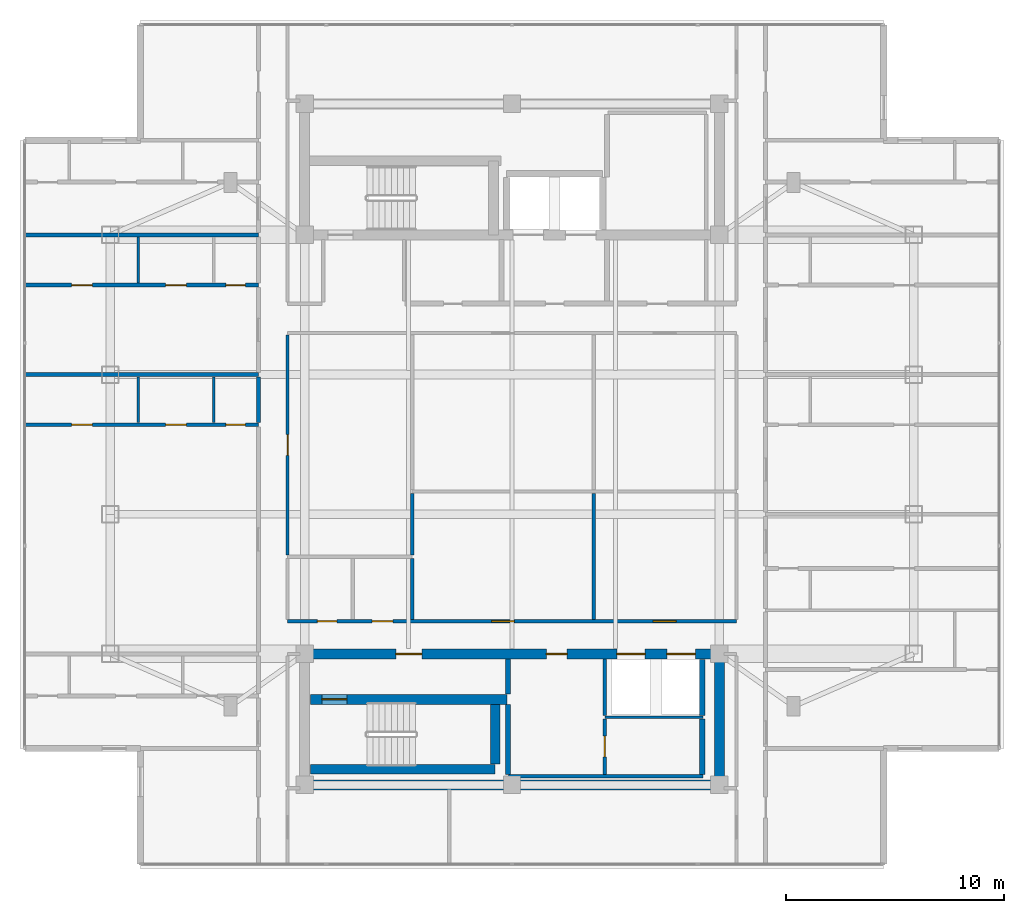
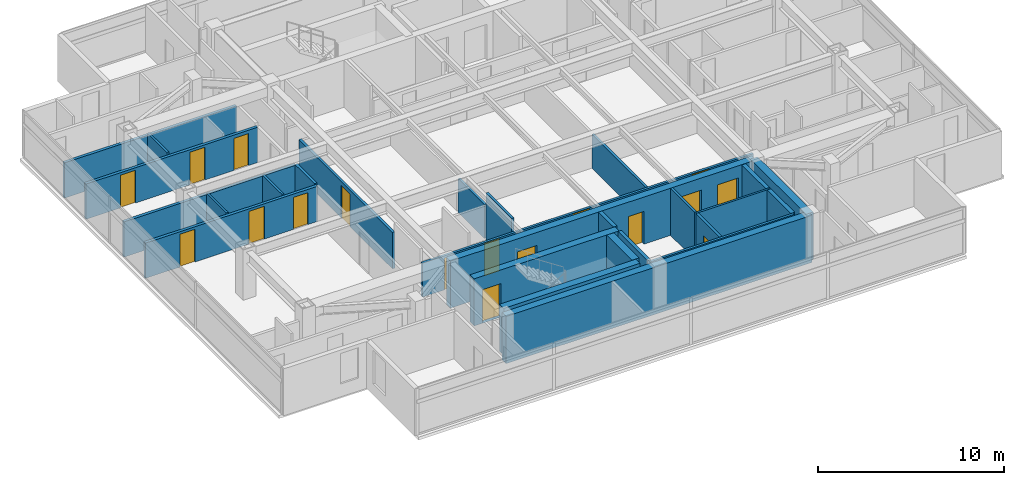
# One storey, part 8 of 14: 27 walls, 17 doors, 17 openings.
"""IFC4 building model written with IfcOpenShell, lengths in metres."""

from ifc_helpers import new_model, si_unit, direction, frame, frame_2d, origin, place, context, subcontext, project, spatial, rectangle, extrude, material, layer, layer_set, type_object, element, fill, save


model = new_model("IFC4")

# Units and contexts
model_context = context("Model", 3, precision=1e-05, world=origin(), true_north=direction((0.0, 1.0)))
body_context = subcontext(model_context, "Body", "Model", "MODEL_VIEW")
ifc_project = project(units=[si_unit("LENGTHUNIT", "METRE"), si_unit("AREAUNIT", "SQUARE_METRE"), si_unit("VOLUMEUNIT", "CUBIC_METRE"), si_unit("PLANEANGLEUNIT", "RADIAN"), si_unit("MASSUNIT", "GRAM", prefix="KILO")], contexts=[model_context])

# Site, building, storey
site_placement = place(None, origin())
site = spatial("IfcSite", under=ifc_project, at=site_placement, CompositionType="ELEMENT")
building_placement = place(site_placement, origin())
building = spatial("IfcBuilding", under=site, at=building_placement, Name="Mirazonda Arch Towers", CompositionType="ELEMENT")
storey_placement = place(building_placement, frame((0.0, 0.0, 245.800048828125)))
storey = spatial("IfcBuildingStorey", under=building, at=storey_placement, Name="L70", CompositionType="ELEMENT", Elevation=245.800048828125)

# Walls
ifc_material_1 = material(Name="Concrete C50/60", Category="concrete")
ifc_layer_1 = layer(ifc_material_1, 0.449951171875, Name="WALL-CORE-450")
ifc_layer_set_1 = layer_set([ifc_layer_1], Name="Concrete C50/60")
wall_type_1 = type_object("IfcWallType", Name="WALL-CORE-450", PredefinedType="SHEAR", material=ifc_layer_set_1)
wall_1_placement = place(storey_placement, frame((11.0, 12.39990234375, 0.0), z_axis=(0.0, 0.0, 1.0), x_axis=(1.0, 0.0, 0.0)))
element("IfcWall", 1, at=wall_1_placement, inside=storey, type_object=wall_type_1, Name="L70 T1S-S Core Shear Wall", PredefinedType="SHEAR", context=body_context, shape_type="SweptSolid", body=[
    extrude(rectangle(XDim=19.0, YDim=0.449951171875, at=frame_2d((9.5, 0.0))), origin(), (0.0, 0.0, 1.0), 3.099853515625),
])
wall_2_placement = place(storey_placement, frame((30.0, 12.39990234375, 0.0), z_axis=(0.0, 0.0, 1.0), x_axis=(0.0, 1.0, 0.0)))
element("IfcWall", 2, at=wall_2_placement, inside=storey, type_object=wall_type_1, Name="L70 T1S-E Core Shear Wall", PredefinedType="SHEAR", context=body_context, shape_type="SweptSolid", body=[
    extrude(rectangle(XDim=6.0, YDim=0.449951171875, at=frame_2d((3.0, 0.0))), origin(), (0.0, 0.0, 1.0), 3.099853515625),
])

# Wall, openings, doors
wall_3_placement = place(storey_placement, frame((11.0, 18.39990234375, 0.0), z_axis=(0.0, 0.0, 1.0), x_axis=(1.0, 0.0, 0.0)))
wall_3 = element("IfcWall", 3, at=wall_3_placement, inside=storey, type_object=wall_type_1, Name="L70 T1S-N Core Shear Wall", PredefinedType="SHEAR", context=body_context, shape_type="SweptSolid", body=[
    extrude(rectangle(XDim=19.0, YDim=0.449951171875, at=frame_2d((9.5, 0.0))), origin(), (0.0, 0.0, 1.0), 3.099853515625),
])
opening_1_placement = place(wall_3_placement, frame((4.175048828125, 0.0, 0.0)))
opening_1 = element("IfcOpeningElement", 4, at=opening_1_placement, cuts=wall_3, Name="Opening DR-117", PredefinedType="OPENING", context=body_context, shape_type="SweptSolid", body=[
    extrude(rectangle(XDim=1.199951171875, YDim=2.25, at=frame_2d((0.60009765625, 1.125))), frame((0.0, 0.23486328125, 0.0), z_axis=(0.0, -1.0, 0.0), x_axis=(1.0, 0.0, 0.0)), (0.0, 0.0, 1.0), 0.469970703125),
])
opening_2_placement = place(wall_3_placement, frame((11.074951171875, 0.0, 0.0)))
opening_2 = element("IfcOpeningElement", 5, at=opening_2_placement, cuts=wall_3, Name="Opening DR-104", PredefinedType="OPENING", context=body_context, shape_type="SweptSolid", body=[
    extrude(rectangle(XDim=0.949951171875, YDim=2.14990234375, at=frame_2d((0.47509765625, 1.074951171875))), frame((0.0, 0.23486328125, 0.0), z_axis=(0.0, -1.0, 0.0), x_axis=(1.0, 0.0, 0.0)), (0.0, 0.0, 1.0), 0.469970703125),
])
opening_3_placement = place(wall_3_placement, frame((14.300048828125, 0.0, 0.0)))
opening_3 = element("IfcOpeningElement", 6, at=opening_3_placement, cuts=wall_3, Name="Opening LD-111", PredefinedType="OPENING", context=body_context, shape_type="SweptSolid", body=[
    extrude(rectangle(XDim=1.300048828125, YDim=2.300048828125, at=frame_2d((0.64990234375, 1.14990234375))), frame((0.0, 0.23486328125, 0.0), z_axis=(0.0, -1.0, 0.0), x_axis=(1.0, 0.0, 0.0)), (0.0, 0.0, 1.0), 0.469970703125),
])
opening_4_placement = place(wall_3_placement, frame((16.60009765625, 0.0, 0.0)))
opening_4 = element("IfcOpeningElement", 7, at=opening_4_placement, cuts=wall_3, Name="Opening LD-111", PredefinedType="OPENING", context=body_context, shape_type="SweptSolid", body=[
    extrude(rectangle(XDim=1.300048828125, YDim=2.300048828125, at=frame_2d((0.64990234375, 1.14990234375))), frame((0.0, 0.23486328125, 0.0), z_axis=(0.0, -1.0, 0.0), x_axis=(1.0, 0.0, 0.0)), (0.0, 0.0, 1.0), 0.469970703125),
])
ifc_material_2 = material(Name="Architectural Brushed Steel S355", Category="steel")
door_type_1 = type_object("IfcDoorType", Name="DOOR-FFL-FD90-1200", OperationType="NOTDEFINED", PredefinedType="DOOR", material=ifc_material_2)
door_1_placement = place(opening_1_placement, origin())
door_1 = element("IfcDoor", 8, at=door_1_placement, inside=storey, type_object=door_type_1, Name="L70 South Core Stair & Lift Lobby Door", OperationType="SINGLE_SWING_RIGHT", OverallHeight=2.25, OverallWidth=1.199951171875, PredefinedType="DOOR", context=body_context, shape_type="SweptSolid", body=[
    extrude(rectangle(XDim=1.199951171875, YDim=2.25, at=frame_2d((0.60009765625, 1.125))), frame((0.0, 0.02490234375, 0.0), z_axis=(0.0, -1.0, 0.0), x_axis=(1.0, 0.0, 0.0)), (0.0, 0.0, 1.0), 0.050048828125),
])
fill(opening_1, door_1)
door_type_2 = type_object("IfcDoorType", Name="DOOR-LIFT-LAND-1300", OperationType="NOTDEFINED", PredefinedType="DOOR", material=ifc_material_2)
door_2_placement = place(opening_3_placement, origin())
door_2 = element("IfcDoor", 9, at=door_2_placement, inside=storey, type_object=door_type_2, Name="L70 Lift Landing Sliding Door PL-T1H1", OperationType="DOUBLE_DOOR_SLIDING", OverallHeight=2.300048828125, OverallWidth=1.300048828125, PredefinedType="DOOR", context=body_context, shape_type="SweptSolid", body=[
    extrude(rectangle(XDim=1.300048828125, YDim=2.300048828125, at=frame_2d((0.64990234375, 1.14990234375))), frame((0.0, 0.02490234375, 0.0), z_axis=(0.0, -1.0, 0.0), x_axis=(1.0, 0.0, 0.0)), (0.0, 0.0, 1.0), 0.050048828125),
])
fill(opening_3, door_2)
door_3_placement = place(opening_4_placement, origin())
door_3 = element("IfcDoor", 10, at=door_3_placement, inside=storey, type_object=door_type_2, Name="L70 Lift Landing Sliding Door PL-T1H2", OperationType="DOUBLE_DOOR_SLIDING", OverallHeight=2.300048828125, OverallWidth=1.300048828125, PredefinedType="DOOR", context=body_context, shape_type="SweptSolid", body=[
    extrude(rectangle(XDim=1.300048828125, YDim=2.300048828125, at=frame_2d((0.64990234375, 1.14990234375))), frame((0.0, 0.02490234375, 0.0), z_axis=(0.0, -1.0, 0.0), x_axis=(1.0, 0.0, 0.0)), (0.0, 0.0, 1.0), 0.050048828125),
])
fill(opening_4, door_3)
door_type_3 = type_object("IfcDoorType", Name="DOOR-ROOM-950", OperationType="NOTDEFINED", PredefinedType="DOOR", material=ifc_material_2)
door_4_placement = place(opening_2_placement, origin())
door_4 = element("IfcDoor", 11, at=door_4_placement, inside=storey, type_object=door_type_3, Name="L70 Residents Wine Tasting Lounge Door", OperationType="SINGLE_SWING_RIGHT", OverallHeight=2.14990234375, OverallWidth=0.949951171875, PredefinedType="DOOR", context=body_context, shape_type="SweptSolid", body=[
    extrude(rectangle(XDim=0.949951171875, YDim=2.14990234375, at=frame_2d((0.47509765625, 1.074951171875))), frame((0.0, 0.02490234375, 0.0), z_axis=(0.0, -1.0, 0.0), x_axis=(1.0, 0.0, 0.0)), (0.0, 0.0, 1.0), 0.050048828125),
])
fill(opening_2, door_4)

# Wall
wall_4_placement = place(storey_placement, frame((11.27001953125, 13.1201171875, 0.0), z_axis=(0.0, 0.0, 1.0), x_axis=(1.0, 0.0, 0.0)))
element("IfcWall", 12, at=wall_4_placement, inside=storey, type_object=wall_type_1, Name="L70 Stair Core Shear Wall 004", PredefinedType="SHEAR", context=body_context, shape_type="SweptSolid", body=[
    extrude(rectangle(XDim=8.4599609375, YDim=0.449951171875, at=frame_2d((4.22998046875, 0.0))), origin(), (0.0, 0.0, 1.0), 3.099853515625),
])

# Wall, opening, door
wall_5_placement = place(storey_placement, frame((11.27001953125, 16.320068359375, 0.0), z_axis=(0.0, 0.0, 1.0), x_axis=(1.0, 0.0, 0.0)))
wall_5 = element("IfcWall", 13, at=wall_5_placement, inside=storey, type_object=wall_type_1, Name="L70 Stair Core Shear Wall 008", PredefinedType="SHEAR", context=body_context, shape_type="SweptSolid", body=[
    extrude(rectangle(XDim=9.010009765625, YDim=0.449951171875, at=frame_2d((4.5048828125, 0.0))), origin(), (0.0, 0.0, 1.0), 3.099853515625),
])
opening_5_placement = place(wall_5_placement, frame((0.52001953125, 0.0, 0.0)))
opening_5 = element("IfcOpeningElement", 14, at=opening_5_placement, cuts=wall_5, Name="Opening DR-135", PredefinedType="OPENING", context=body_context, shape_type="SweptSolid", body=[
    extrude(rectangle(XDim=1.14990234375, YDim=2.199951171875, at=frame_2d((0.574951171875, 1.10009765625))), frame((0.0, 0.23486328125, 0.0), z_axis=(0.0, -1.0, 0.0), x_axis=(1.0, 0.0, 0.0)), (0.0, 0.0, 1.0), 0.469970703125),
])
door_type_4 = type_object("IfcDoorType", Name="DOOR-STAIR-FD90-1150", OperationType="NOTDEFINED", PredefinedType="DOOR", material=ifc_material_2)
door_5_placement = place(opening_5_placement, origin())
door_5 = element("IfcDoor", 15, at=door_5_placement, inside=storey, type_object=door_type_4, Name="L70 Protected Exit Stair South Door", OperationType="SINGLE_SWING_LEFT", OverallHeight=2.199951171875, OverallWidth=1.14990234375, PredefinedType="DOOR", context=body_context, shape_type="SweptSolid", body=[
    extrude(rectangle(XDim=1.14990234375, YDim=2.199951171875, at=frame_2d((0.574951171875, 1.10009765625))), frame((0.0, 0.02490234375, 0.0), z_axis=(0.0, -1.0, 0.0), x_axis=(1.0, 0.0, 0.0)), (0.0, 0.0, 1.0), 0.050048828125),
])
fill(opening_5, door_5)

# Walls
wall_6_placement = place(storey_placement, frame((19.72998046875, 13.35498046875, 0.0), z_axis=(0.0, 0.0, 1.0), x_axis=(0.0, 1.0, 0.0)))
element("IfcWall", 16, at=wall_6_placement, inside=storey, type_object=wall_type_1, Name="L70 Stair Core Shear Wall 070", PredefinedType="SHEAR", context=body_context, shape_type="SweptSolid", body=[
    extrude(rectangle(XDim=2.72998046875, YDim=0.449951171875, at=frame_2d((1.364990234375, 0.0))), origin(), (0.0, 0.0, 1.0), 3.099853515625),
])
ifc_material_3 = material(Name="Concrete C40/50", Category="concrete")
ifc_layer_2 = layer(ifc_material_3, 0.219970703125, Name="WALL-FFL-220")
ifc_layer_set_2 = layer_set([ifc_layer_2], Name="Concrete C40/50")
wall_type_2 = type_object("IfcWallType", Name="WALL-FFL-220", PredefinedType="SOLIDWALL", material=ifc_layer_set_2)
wall_7_placement = place(storey_placement, frame((20.31494140625, 12.885009765625, 0.0), z_axis=(0.0, 0.0, 1.0), x_axis=(0.0, 1.0, 0.0)))
element("IfcWall", 17, at=wall_7_placement, inside=storey, type_object=wall_type_2, Name="L70 Interior Partition 072", PredefinedType="SOLIDWALL", context=body_context, shape_type="SweptSolid", body=[
    extrude(rectangle(XDim=3.199951171875, YDim=0.219970703125, at=frame_2d((1.60009765625, 0.0))), origin(), (0.0, 0.0, 1.0), 3.099853515625),
])
wall_8_placement = place(storey_placement, frame((20.31494140625, 16.554931640625, 0.0), z_axis=(0.0, 0.0, 1.0), x_axis=(0.0, 1.0, 0.0)))
element("IfcWall", 18, at=wall_8_placement, inside=storey, type_object=wall_type_2, Name="L70 Interior Partition 073", PredefinedType="SOLIDWALL", context=body_context, shape_type="SweptSolid", body=[
    extrude(rectangle(XDim=1.625, YDim=0.219970703125, at=frame_2d((0.8125, 0.0))), origin(), (0.0, 0.0, 1.0), 3.099853515625),
])
ifc_material_4 = material(Name="Fire-Rated Gypsum Stud Partition")
ifc_layer_3 = layer(ifc_material_4, 0.14990234375, Name="WALL-PART-CORR-150")
ifc_layer_set_3 = layer_set([ifc_layer_3], Name="Fire-Rated Gypsum Stud Partition")
wall_type_3 = type_object("IfcWallType", Name="WALL-PART-CORR-150", PredefinedType="PARTITIONING", material=ifc_layer_set_3)
wall_9_placement = place(storey_placement, frame((20.35009765625, 12.800048828125, 0.0), z_axis=(0.0, 0.0, 1.0), x_axis=(1.0, 0.0, 0.0)))
element("IfcWall", 19, at=wall_9_placement, inside=storey, type_object=wall_type_3, Name="L70 Interior Partition 003", PredefinedType="PARTITIONING", context=body_context, shape_type="SweptSolid", body=[
    extrude(rectangle(XDim=8.89990234375, YDim=0.14990234375, at=frame_2d((4.449951171875, 0.0))), origin(), (0.0, 0.0, 1.0), 3.099853515625),
])

# Wall, openings, doors
wall_10_placement = place(storey_placement, frame((10.219970703125, 19.89990234375, 0.0), z_axis=(0.0, 0.0, 1.0), x_axis=(1.0, 0.0, 0.0)))
wall_10 = element("IfcWall", 20, at=wall_10_placement, inside=storey, type_object=wall_type_3, Name="L70 Interior Partition 014", PredefinedType="PARTITIONING", context=body_context, shape_type="SweptSolid", body=[
    extrude(rectangle(XDim=20.56005859375, YDim=0.14990234375, at=frame_2d((10.280029296875, 0.0))), origin(), (0.0, 0.0, 1.0), 2.23583984375),
])
opening_6_placement = place(wall_10_placement, frame((1.360107421875, 0.0, 0.0)))
opening_6 = element("IfcOpeningElement", 21, at=opening_6_placement, cuts=wall_10, Name="Opening DR-120", PredefinedType="OPENING", context=body_context, shape_type="SweptSolid", body=[
    extrude(rectangle(XDim=0.89990234375, YDim=2.10009765625, at=frame_2d((0.449951171875, 1.050048828125))), frame((0.0, 0.0849609375, 0.0), z_axis=(0.0, -1.0, 0.0), x_axis=(1.0, 0.0, 0.0)), (0.0, 0.0, 1.0), 0.169921875),
])
opening_7_placement = place(wall_10_placement, frame((3.8701171875, 0.0, 0.0)))
opening_7 = element("IfcOpeningElement", 22, at=opening_7_placement, cuts=wall_10, Name="Opening DR-104", PredefinedType="OPENING", context=body_context, shape_type="SweptSolid", body=[
    extrude(rectangle(XDim=0.949951171875, YDim=2.14990234375, at=frame_2d((0.47509765625, 1.074951171875))), frame((0.0, 0.0849609375, 0.0), z_axis=(0.0, -1.0, 0.0), x_axis=(1.0, 0.0, 0.0)), (0.0, 0.0, 1.0), 0.169921875),
])
opening_8_placement = place(wall_10_placement, frame((9.343017578125, 0.0, 0.0)))
opening_8 = element("IfcOpeningElement", 23, at=opening_8_placement, cuts=wall_10, Name="Opening DR-121", PredefinedType="OPENING", context=body_context, shape_type="SweptSolid", body=[
    extrude(rectangle(XDim=1.050048828125, YDim=2.199951171875, at=frame_2d((0.52490234375, 1.10009765625))), frame((0.0, 0.0849609375, 0.0), z_axis=(0.0, -1.0, 0.0), x_axis=(1.0, 0.0, 0.0)), (0.0, 0.0, 1.0), 0.169921875),
])
opening_9_placement = place(wall_10_placement, frame((16.748046875, 0.0, 0.0)))
opening_9 = element("IfcOpeningElement", 24, at=opening_9_placement, cuts=wall_10, Name="Opening DR-121", PredefinedType="OPENING", context=body_context, shape_type="SweptSolid", body=[
    extrude(rectangle(XDim=1.050048828125, YDim=2.199951171875, at=frame_2d((0.52490234375, 1.10009765625))), frame((0.0, 0.0849609375, 0.0), z_axis=(0.0, -1.0, 0.0), x_axis=(1.0, 0.0, 0.0)), (0.0, 0.0, 1.0), 0.169921875),
])
door_6_placement = place(opening_7_placement, origin())
door_6 = element("IfcDoor", 25, at=door_6_placement, inside=storey, type_object=door_type_3, Name="L70 L70 West Courtyard Study Door", OperationType="SINGLE_SWING_RIGHT", OverallHeight=2.14990234375, OverallWidth=0.949951171875, PredefinedType="DOOR", context=body_context, shape_type="SweptSolid", body=[
    extrude(rectangle(XDim=0.949951171875, YDim=2.14990234375, at=frame_2d((0.47509765625, 1.074951171875))), frame((0.0, 0.02490234375, 0.0), z_axis=(0.0, -1.0, 0.0), x_axis=(1.0, 0.0, 0.0)), (0.0, 0.0, 1.0), 0.050048828125),
])
fill(opening_7, door_6)
door_type_5 = type_object("IfcDoorType", Name="DOOR-SUITE-FD60-1050", OperationType="NOTDEFINED", PredefinedType="DOOR", material=ifc_material_2)
door_7_placement = place(opening_8_placement, origin())
door_7 = element("IfcDoor", 26, at=door_7_placement, inside=storey, type_object=door_type_5, Name="L70 Residents Private Library Door", OperationType="SINGLE_SWING_RIGHT", OverallHeight=2.199951171875, OverallWidth=1.050048828125, PredefinedType="DOOR", context=body_context, shape_type="SweptSolid", body=[
    extrude(rectangle(XDim=1.050048828125, YDim=2.199951171875, at=frame_2d((0.52490234375, 1.10009765625))), frame((0.0, 0.02490234375, 0.0), z_axis=(0.0, -1.0, 0.0), x_axis=(1.0, 0.0, 0.0)), (0.0, 0.0, 1.0), 0.050048828125),
])
fill(opening_8, door_7)
door_8_placement = place(opening_9_placement, origin())
door_8 = element("IfcDoor", 27, at=door_8_placement, inside=storey, type_object=door_type_5, Name="L70 Chamber Music & Screening Salon Door", OperationType="SINGLE_SWING_LEFT", OverallHeight=2.199951171875, OverallWidth=1.050048828125, PredefinedType="DOOR", context=body_context, shape_type="SweptSolid", body=[
    extrude(rectangle(XDim=1.050048828125, YDim=2.199951171875, at=frame_2d((0.52490234375, 1.10009765625))), frame((0.0, 0.02490234375, 0.0), z_axis=(0.0, -1.0, 0.0), x_axis=(1.0, 0.0, 0.0)), (0.0, 0.0, 1.0), 0.050048828125),
])
fill(opening_9, door_8)
door_type_6 = type_object("IfcDoorType", Name="DOOR-WC-900", OperationType="NOTDEFINED", PredefinedType="DOOR", material=ifc_material_2)
door_9_placement = place(opening_6_placement, origin())
door_9 = element("IfcDoor", 28, at=door_9_placement, inside=storey, type_object=door_type_6, Name="L70 Common Accessible WC Door", OperationType="SINGLE_SWING_RIGHT", OverallHeight=2.10009765625, OverallWidth=0.89990234375, PredefinedType="DOOR", context=body_context, shape_type="SweptSolid", body=[
    extrude(rectangle(XDim=0.89990234375, YDim=2.10009765625, at=frame_2d((0.449951171875, 1.050048828125))), frame((0.0, 0.02490234375, 0.0), z_axis=(0.0, -1.0, 0.0), x_axis=(1.0, 0.0, 0.0)), (0.0, 0.0, 1.0), 0.050048828125),
])
fill(opening_6, door_9)

# Wall, opening, door
wall_11_placement = place(storey_placement, frame((10.219970703125, 22.93505859375, 0.0), z_axis=(0.0, 0.0, 1.0), x_axis=(0.0, 1.0, 0.0)))
wall_11 = element("IfcWall", 29, at=wall_11_placement, inside=storey, type_object=wall_type_3, Name="L70 Interior Partition 060", PredefinedType="PARTITIONING", context=body_context, shape_type="SweptSolid", body=[
    extrude(rectangle(XDim=10.079833984375, YDim=0.14990234375, at=frame_2d((5.0400390625, 0.0))), origin(), (0.0, 0.0, 1.0), 2.39599609375),
])
opening_10_placement = place(wall_11_placement, frame((4.56494140625, 0.0, 0.0)))
opening_10 = element("IfcOpeningElement", 30, at=opening_10_placement, cuts=wall_11, Name="Opening DR-104", PredefinedType="OPENING", context=body_context, shape_type="SweptSolid", body=[
    extrude(rectangle(XDim=0.949951171875, YDim=2.14990234375, at=frame_2d((0.47509765625, 1.074951171875))), frame((0.0, 0.0849609375, 0.0), z_axis=(0.0, -1.0, 0.0), x_axis=(1.0, 0.0, 0.0)), (0.0, 0.0, 1.0), 0.169921875),
])
door_10_placement = place(opening_10_placement, origin())
door_10 = element("IfcDoor", 31, at=door_10_placement, inside=storey, type_object=door_type_3, Name="L70 L70 West Courtyard Salon Door", OperationType="SINGLE_SWING_LEFT", OverallHeight=2.14990234375, OverallWidth=0.949951171875, PredefinedType="DOOR", context=body_context, shape_type="SweptSolid", body=[
    extrude(rectangle(XDim=0.949951171875, YDim=2.14990234375, at=frame_2d((0.47509765625, 1.074951171875))), frame((0.0, 0.02490234375, 0.0), z_axis=(0.0, -1.0, 0.0), x_axis=(1.0, 0.0, 0.0)), (0.0, 0.0, 1.0), 0.050048828125),
])
fill(opening_10, door_10)

# Walls
wall_12_placement = place(storey_placement, frame((15.929931640625, 19.985107421875, 0.0), z_axis=(0.0, 0.0, 1.0), x_axis=(0.0, 1.0, 0.0)))
element("IfcWall", 32, at=wall_12_placement, inside=storey, type_object=wall_type_3, Name="L70 Interior Partition 066", PredefinedType="PARTITIONING", context=body_context, shape_type="SweptSolid", body=[
    extrude(rectangle(XDim=2.77978515625, YDim=0.14990234375, at=frame_2d((1.389892578125, 0.0))), origin(), (0.0, 0.0, 1.0), 3.099853515625),
])
wall_13_placement = place(storey_placement, frame((15.929931640625, 22.93505859375, 0.0), z_axis=(0.0, 0.0, 1.0), x_axis=(0.0, 1.0, 0.0)))
element("IfcWall", 33, at=wall_13_placement, inside=storey, type_object=wall_type_3, Name="L70 Interior Partition 067", PredefinedType="PARTITIONING", context=body_context, shape_type="SweptSolid", body=[
    extrude(rectangle(XDim=2.81982421875, YDim=0.14990234375, at=frame_2d((1.409912109375, 0.0))), origin(), (0.0, 0.0, 1.0), 2.23583984375),
])
wall_14_placement = place(storey_placement, frame((24.24609375, 19.985107421875, 0.0), z_axis=(0.0, 0.0, 1.0), x_axis=(0.0, 1.0, 0.0)))
element("IfcWall", 34, at=wall_14_placement, inside=storey, type_object=wall_type_3, Name="L70 Interior Partition 075", PredefinedType="PARTITIONING", context=body_context, shape_type="SweptSolid", body=[
    extrude(rectangle(XDim=5.769775390625, YDim=0.14990234375, at=frame_2d((2.884765625, 0.0))), origin(), (0.0, 0.0, 1.0), 2.23583984375),
])

# Wall, opening, door
wall_15_placement = place(storey_placement, frame((24.75, 12.885009765625, 0.0), z_axis=(0.0, 0.0, 1.0), x_axis=(0.0, 1.0, 0.0)))
wall_15 = element("IfcWall", 35, at=wall_15_placement, inside=storey, type_object=wall_type_3, Name="L70 Interior Partition 077", PredefinedType="PARTITIONING", context=body_context, shape_type="SweptSolid", body=[
    extrude(rectangle(XDim=2.54248046875, YDim=0.14990234375, at=frame_2d((1.271240234375, 0.0))), origin(), (0.0, 0.0, 1.0), 3.099853515625),
])
opening_11_placement = place(wall_15_placement, frame((0.79638671875, 0.0, 0.0)))
opening_11 = element("IfcOpeningElement", 36, at=opening_11_placement, cuts=wall_15, Name="Opening DR-104", PredefinedType="OPENING", context=body_context, shape_type="SweptSolid", body=[
    extrude(rectangle(XDim=0.949951171875, YDim=2.14990234375, at=frame_2d((0.47509765625, 1.074951171875))), frame((0.0, 0.0849609375, 0.0), z_axis=(0.0, -1.0, 0.0), x_axis=(1.0, 0.0, 0.0)), (0.0, 0.0, 1.0), 0.169921875),
])
door_11_placement = place(opening_11_placement, origin())
door_11 = element("IfcDoor", 37, at=door_11_placement, inside=storey, type_object=door_type_3, Name="L70 Residents Private Archive Study Door", OperationType="SINGLE_SWING_LEFT", OverallHeight=2.14990234375, OverallWidth=0.949951171875, PredefinedType="DOOR", context=body_context, shape_type="SweptSolid", body=[
    extrude(rectangle(XDim=0.949951171875, YDim=2.14990234375, at=frame_2d((0.47509765625, 1.074951171875))), frame((0.0, 0.02490234375, 0.0), z_axis=(0.0, -1.0, 0.0), x_axis=(1.0, 0.0, 0.0)), (0.0, 0.0, 1.0), 0.050048828125),
])
fill(opening_11, door_11)

# Wall
wall_16_placement = place(storey_placement, frame((24.75, 15.572509765625, 0.0), z_axis=(0.0, 0.0, 1.0), x_axis=(0.0, 1.0, 0.0)))
element("IfcWall", 38, at=wall_16_placement, inside=storey, type_object=wall_type_3, Name="L70 Interior Partition 078", PredefinedType="PARTITIONING", context=body_context, shape_type="SweptSolid", body=[
    extrude(rectangle(XDim=2.607421875, YDim=0.14990234375, at=frame_2d((1.3037109375, 0.0))), origin(), (0.0, 0.0, 1.0), 3.099853515625),
])

# Wall, openings, doors
ifc_material_5 = material(Name="Fire-Rated Gypsum Twin-Stud Assembly")
ifc_layer_4 = layer(ifc_material_5, 0.179931640625, Name="WALL-PART-DEMISE-180")
ifc_layer_set_4 = layer_set([ifc_layer_4], Name="Fire-Rated Gypsum Twin-Stud Assembly")
wall_type_4 = type_object("IfcWallType", Name="WALL-PART-DEMISE-180", PredefinedType="PARTITIONING", material=ifc_layer_set_4)
wall_17_placement = place(storey_placement, frame((-1.820068359375, 28.89990234375, 0.0), z_axis=(0.0, 0.0, 1.0), x_axis=(1.0, 0.0, 0.0)))
wall_17 = element("IfcWall", 39, at=wall_17_placement, inside=storey, type_object=wall_type_4, Name="L70 Interior Partition 020", PredefinedType="PARTITIONING", context=body_context, shape_type="SweptSolid", body=[
    extrude(rectangle(XDim=10.699951171875, YDim=0.179931640625, at=frame_2d((5.35009765625, 0.0))), origin(), (0.0, 0.0, 1.0), 2.31884765625),
])
opening_12_placement = place(wall_17_placement, frame((2.14306640625, 0.0, 0.0)))
opening_12 = element("IfcOpeningElement", 40, at=opening_12_placement, cuts=wall_17, Name="Opening DR-104", PredefinedType="OPENING", context=body_context, shape_type="SweptSolid", body=[
    extrude(rectangle(XDim=0.949951171875, YDim=2.14990234375, at=frame_2d((0.47509765625, 1.074951171875))), frame((0.0, 0.099853515625, 0.0), z_axis=(0.0, -1.0, 0.0), x_axis=(1.0, 0.0, 0.0)), (0.0, 0.0, 1.0), 0.199951171875),
])
opening_13_placement = place(wall_17_placement, frame((6.452880859375, 0.0, 0.0)))
opening_13 = element("IfcOpeningElement", 41, at=opening_13_placement, cuts=wall_17, Name="Opening DR-104", PredefinedType="OPENING", context=body_context, shape_type="SweptSolid", body=[
    extrude(rectangle(XDim=0.949951171875, YDim=2.14990234375, at=frame_2d((0.47509765625, 1.074951171875))), frame((0.0, 0.099853515625, 0.0), z_axis=(0.0, -1.0, 0.0), x_axis=(1.0, 0.0, 0.0)), (0.0, 0.0, 1.0), 0.199951171875),
])
opening_14_placement = place(wall_17_placement, frame((9.2099609375, 0.0, 0.0)))
opening_14 = element("IfcOpeningElement", 42, at=opening_14_placement, cuts=wall_17, Name="Opening DR-120", PredefinedType="OPENING", context=body_context, shape_type="SweptSolid", body=[
    extrude(rectangle(XDim=0.89990234375, YDim=2.10009765625, at=frame_2d((0.449951171875, 1.050048828125))), frame((0.0, 0.099853515625, 0.0), z_axis=(0.0, -1.0, 0.0), x_axis=(1.0, 0.0, 0.0)), (0.0, 0.0, 1.0), 0.199951171875),
])
door_12_placement = place(opening_12_placement, origin())
door_12 = element("IfcDoor", 43, at=door_12_placement, inside=storey, type_object=door_type_3, Name="L70 Residence 2 Principal Bedroom Door", OperationType="SINGLE_SWING_RIGHT", OverallHeight=2.14990234375, OverallWidth=0.949951171875, PredefinedType="DOOR", context=body_context, shape_type="SweptSolid", body=[
    extrude(rectangle(XDim=0.949951171875, YDim=2.14990234375, at=frame_2d((0.47509765625, 1.074951171875))), frame((0.0, 0.02490234375, 0.0), z_axis=(0.0, -1.0, 0.0), x_axis=(1.0, 0.0, 0.0)), (0.0, 0.0, 1.0), 0.050048828125),
])
fill(opening_12, door_12)
door_13_placement = place(opening_13_placement, origin())
door_13 = element("IfcDoor", 44, at=door_13_placement, inside=storey, type_object=door_type_3, Name="L70 Residence 2 Fitted Kitchen Door", OperationType="SINGLE_SWING_LEFT", OverallHeight=2.14990234375, OverallWidth=0.949951171875, PredefinedType="DOOR", context=body_context, shape_type="SweptSolid", body=[
    extrude(rectangle(XDim=0.949951171875, YDim=2.14990234375, at=frame_2d((0.47509765625, 1.074951171875))), frame((0.0, 0.02490234375, 0.0), z_axis=(0.0, -1.0, 0.0), x_axis=(1.0, 0.0, 0.0)), (0.0, 0.0, 1.0), 0.050048828125),
])
fill(opening_13, door_13)
door_14_placement = place(opening_14_placement, origin())
door_14 = element("IfcDoor", 45, at=door_14_placement, inside=storey, type_object=door_type_6, Name="L70 Residence 2 Bathroom Door", OperationType="SINGLE_SWING_RIGHT", OverallHeight=2.10009765625, OverallWidth=0.89990234375, PredefinedType="DOOR", context=body_context, shape_type="SweptSolid", body=[
    extrude(rectangle(XDim=0.89990234375, YDim=2.10009765625, at=frame_2d((0.449951171875, 1.050048828125))), frame((0.0, 0.02490234375, 0.0), z_axis=(0.0, -1.0, 0.0), x_axis=(1.0, 0.0, 0.0)), (0.0, 0.0, 1.0), 0.050048828125),
])
fill(opening_14, door_14)

# Wall
wall_18_placement = place(storey_placement, frame((-1.820068359375, 31.199951171875, 0.0), z_axis=(0.0, 0.0, 1.0), x_axis=(1.0, 0.0, 0.0)))
element("IfcWall", 46, at=wall_18_placement, inside=storey, type_object=wall_type_4, Name="L70 Interior Partition 022", PredefinedType="PARTITIONING", context=body_context, shape_type="SweptSolid", body=[
    extrude(rectangle(XDim=10.699951171875, YDim=0.179931640625, at=frame_2d((5.35009765625, 0.0))), origin(), (0.0, 0.0, 1.0), 2.31884765625),
])

# Wall, openings, doors
wall_19_placement = place(storey_placement, frame((-1.820068359375, 35.300048828125, 0.0), z_axis=(0.0, 0.0, 1.0), x_axis=(1.0, 0.0, 0.0)))
wall_19 = element("IfcWall", 47, at=wall_19_placement, inside=storey, type_object=wall_type_4, Name="L70 Interior Partition 027", PredefinedType="PARTITIONING", context=body_context, shape_type="SweptSolid", body=[
    extrude(rectangle(XDim=10.699951171875, YDim=0.179931640625, at=frame_2d((5.35009765625, 0.0))), origin(), (0.0, 0.0, 1.0), 2.31884765625),
])
opening_15_placement = place(wall_19_placement, frame((2.14306640625, 0.0, 0.0)))
opening_15 = element("IfcOpeningElement", 48, at=opening_15_placement, cuts=wall_19, Name="Opening DR-104", PredefinedType="OPENING", context=body_context, shape_type="SweptSolid", body=[
    extrude(rectangle(XDim=0.949951171875, YDim=2.14990234375, at=frame_2d((0.47509765625, 1.074951171875))), frame((0.0, 0.099853515625, 0.0), z_axis=(0.0, -1.0, 0.0), x_axis=(1.0, 0.0, 0.0)), (0.0, 0.0, 1.0), 0.199951171875),
])
opening_16_placement = place(wall_19_placement, frame((6.452880859375, 0.0, 0.0)))
opening_16 = element("IfcOpeningElement", 49, at=opening_16_placement, cuts=wall_19, Name="Opening DR-104", PredefinedType="OPENING", context=body_context, shape_type="SweptSolid", body=[
    extrude(rectangle(XDim=0.949951171875, YDim=2.14990234375, at=frame_2d((0.47509765625, 1.074951171875))), frame((0.0, 0.099853515625, 0.0), z_axis=(0.0, -1.0, 0.0), x_axis=(1.0, 0.0, 0.0)), (0.0, 0.0, 1.0), 0.199951171875),
])
opening_17_placement = place(wall_19_placement, frame((9.2099609375, 0.0, 0.0)))
opening_17 = element("IfcOpeningElement", 50, at=opening_17_placement, cuts=wall_19, Name="Opening DR-120", PredefinedType="OPENING", context=body_context, shape_type="SweptSolid", body=[
    extrude(rectangle(XDim=0.89990234375, YDim=2.10009765625, at=frame_2d((0.449951171875, 1.050048828125))), frame((0.0, 0.099853515625, 0.0), z_axis=(0.0, -1.0, 0.0), x_axis=(1.0, 0.0, 0.0)), (0.0, 0.0, 1.0), 0.199951171875),
])
door_15_placement = place(opening_15_placement, origin())
door_15 = element("IfcDoor", 51, at=door_15_placement, inside=storey, type_object=door_type_3, Name="L70 Residence 3 Principal Bedroom Door", OperationType="SINGLE_SWING_RIGHT", OverallHeight=2.14990234375, OverallWidth=0.949951171875, PredefinedType="DOOR", context=body_context, shape_type="SweptSolid", body=[
    extrude(rectangle(XDim=0.949951171875, YDim=2.14990234375, at=frame_2d((0.47509765625, 1.074951171875))), frame((0.0, 0.02490234375, 0.0), z_axis=(0.0, -1.0, 0.0), x_axis=(1.0, 0.0, 0.0)), (0.0, 0.0, 1.0), 0.050048828125),
])
fill(opening_15, door_15)
door_16_placement = place(opening_16_placement, origin())
door_16 = element("IfcDoor", 52, at=door_16_placement, inside=storey, type_object=door_type_3, Name="L70 Residence 3 Fitted Kitchen Door", OperationType="SINGLE_SWING_LEFT", OverallHeight=2.14990234375, OverallWidth=0.949951171875, PredefinedType="DOOR", context=body_context, shape_type="SweptSolid", body=[
    extrude(rectangle(XDim=0.949951171875, YDim=2.14990234375, at=frame_2d((0.47509765625, 1.074951171875))), frame((0.0, 0.02490234375, 0.0), z_axis=(0.0, -1.0, 0.0), x_axis=(1.0, 0.0, 0.0)), (0.0, 0.0, 1.0), 0.050048828125),
])
fill(opening_16, door_16)
door_17_placement = place(opening_17_placement, origin())
door_17 = element("IfcDoor", 53, at=door_17_placement, inside=storey, type_object=door_type_6, Name="L70 Residence 3 Bathroom Door", OperationType="SINGLE_SWING_RIGHT", OverallHeight=2.10009765625, OverallWidth=0.89990234375, PredefinedType="DOOR", context=body_context, shape_type="SweptSolid", body=[
    extrude(rectangle(XDim=0.89990234375, YDim=2.10009765625, at=frame_2d((0.449951171875, 1.050048828125))), frame((0.0, 0.02490234375, 0.0), z_axis=(0.0, -1.0, 0.0), x_axis=(1.0, 0.0, 0.0)), (0.0, 0.0, 1.0), 0.050048828125),
])
fill(opening_17, door_17)

# Walls
wall_20_placement = place(storey_placement, frame((-1.820068359375, 37.60009765625, 0.0), z_axis=(0.0, 0.0, 1.0), x_axis=(1.0, 0.0, 0.0)))
element("IfcWall", 54, at=wall_20_placement, inside=storey, type_object=wall_type_4, Name="L70 Interior Partition 029", PredefinedType="PARTITIONING", context=body_context, shape_type="SweptSolid", body=[
    extrude(rectangle(XDim=10.699951171875, YDim=0.179931640625, at=frame_2d((5.35009765625, 0.0))), origin(), (0.0, 0.0, 1.0), 2.31884765625),
])
wall_21_placement = place(storey_placement, frame((8.8798828125, 29.0, 0.0), z_axis=(0.0, 0.0, 1.0), x_axis=(0.0, 1.0, 0.0)))
element("IfcWall", 55, at=wall_21_placement, inside=storey, type_object=wall_type_4, Name="L70 Interior Partition 051", PredefinedType="PARTITIONING", context=body_context, shape_type="SweptSolid", body=[
    extrude(rectangle(XDim=2.10009765625, YDim=0.179931640625, at=frame_2d((1.050048828125, 0.0))), origin(), (0.0, 0.0, 1.0), 2.39599609375),
])
ifc_material_6 = material(Name="Acoustic Fire-Rated Gypsum Partition")
ifc_layer_5 = layer(ifc_material_6, 0.125, Name="WALL-PART-UNIT-125")
ifc_layer_set_5 = layer_set([ifc_layer_5], Name="Acoustic Fire-Rated Gypsum Partition")
wall_type_5 = type_object("IfcWallType", Name="WALL-PART-UNIT-125", PredefinedType="PARTITIONING", material=ifc_layer_set_5)
wall_22_placement = place(storey_placement, frame((24.75, 15.5, 0.0), z_axis=(0.0, 0.0, 1.0), x_axis=(1.0, 0.0, 0.0)))
element("IfcWall", 56, at=wall_22_placement, inside=storey, type_object=wall_type_5, Name="L70 Interior Partition 007", PredefinedType="PARTITIONING", context=body_context, shape_type="SweptSolid", body=[
    extrude(rectangle(XDim=4.5, YDim=0.125, at=frame_2d((2.25, 0.0))), origin(), (0.0, 0.0, 1.0), 3.099853515625),
])
wall_23_placement = place(storey_placement, frame((3.3759765625, 29.0, 0.0), z_axis=(0.0, 0.0, 1.0), x_axis=(0.0, 1.0, 0.0)))
element("IfcWall", 57, at=wall_23_placement, inside=storey, type_object=wall_type_5, Name="L70 Interior Partition 041", PredefinedType="PARTITIONING", context=body_context, shape_type="SweptSolid", body=[
    extrude(rectangle(XDim=2.10009765625, YDim=0.125, at=frame_2d((1.050048828125, 0.0))), origin(), (0.0, 0.0, 1.0), 2.39599609375),
])
wall_24_placement = place(storey_placement, frame((3.3759765625, 35.39990234375, 0.0), z_axis=(0.0, 0.0, 1.0), x_axis=(0.0, 1.0, 0.0)))
element("IfcWall", 58, at=wall_24_placement, inside=storey, type_object=wall_type_5, Name="L70 Interior Partition 042", PredefinedType="PARTITIONING", context=body_context, shape_type="SweptSolid", body=[
    extrude(rectangle(XDim=2.10009765625, YDim=0.125, at=frame_2d((1.050048828125, 0.0))), origin(), (0.0, 0.0, 1.0), 2.491943359375),
])
wall_25_placement = place(storey_placement, frame((6.840087890625, 29.0, 0.0), z_axis=(0.0, 0.0, 1.0), x_axis=(0.0, 1.0, 0.0)))
element("IfcWall", 59, at=wall_25_placement, inside=storey, type_object=wall_type_5, Name="L70 Interior Partition 045", PredefinedType="PARTITIONING", context=body_context, shape_type="SweptSolid", body=[
    extrude(rectangle(XDim=2.10009765625, YDim=0.125, at=frame_2d((1.050048828125, 0.0))), origin(), (0.0, 0.0, 1.0), 2.39599609375),
])
ifc_layer_6 = layer(ifc_material_3, 0.25, Name="WALL-SHAFT-250")
ifc_layer_set_6 = layer_set([ifc_layer_6], Name="Concrete C40/50")
wall_type_6 = type_object("IfcWallType", Name="WALL-SHAFT-250", PredefinedType="SOLIDWALL", material=ifc_layer_set_6)
wall_26_placement = place(storey_placement, frame((29.22509765625, 12.885009765625, 0.0), z_axis=(0.0, 0.0, 1.0), x_axis=(0.0, 1.0, 0.0)))
element("IfcWall", 60, at=wall_26_placement, inside=storey, type_object=wall_type_6, Name="L70 Interior Partition 082", PredefinedType="SOLIDWALL", context=body_context, shape_type="SweptSolid", body=[
    extrude(rectangle(XDim=2.54248046875, YDim=0.25, at=frame_2d((1.271240234375, 0.0))), origin(), (0.0, 0.0, 1.0), 3.099853515625),
])
wall_27_placement = place(storey_placement, frame((29.22509765625, 15.572509765625, 0.0), z_axis=(0.0, 0.0, 1.0), x_axis=(0.0, 1.0, 0.0)))
element("IfcWall", 61, at=wall_27_placement, inside=storey, type_object=wall_type_6, Name="L70 Interior Partition 083", PredefinedType="SOLIDWALL", context=body_context, shape_type="SweptSolid", body=[
    extrude(rectangle(XDim=2.577392578125, YDim=0.25, at=frame_2d((1.28857421875, 0.0))), origin(), (0.0, 0.0, 1.0), 3.099853515625),
])

save(model, "model.ifc")
